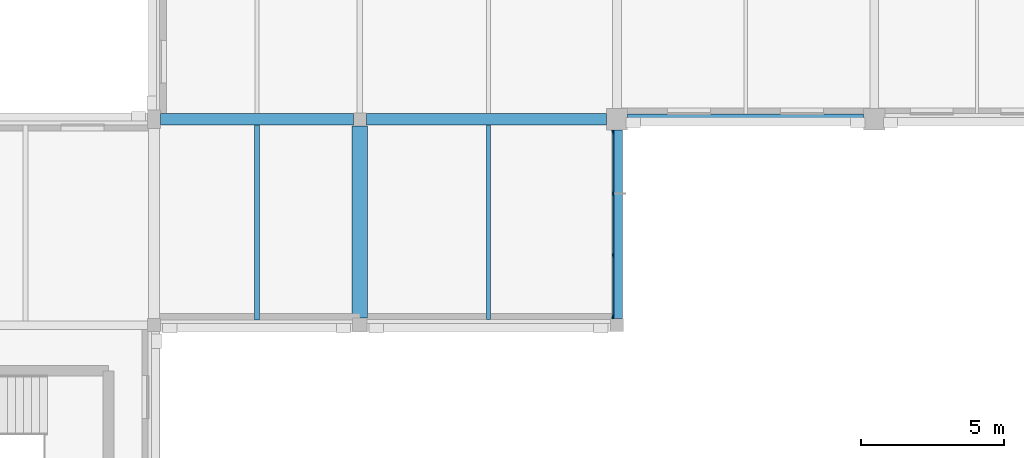
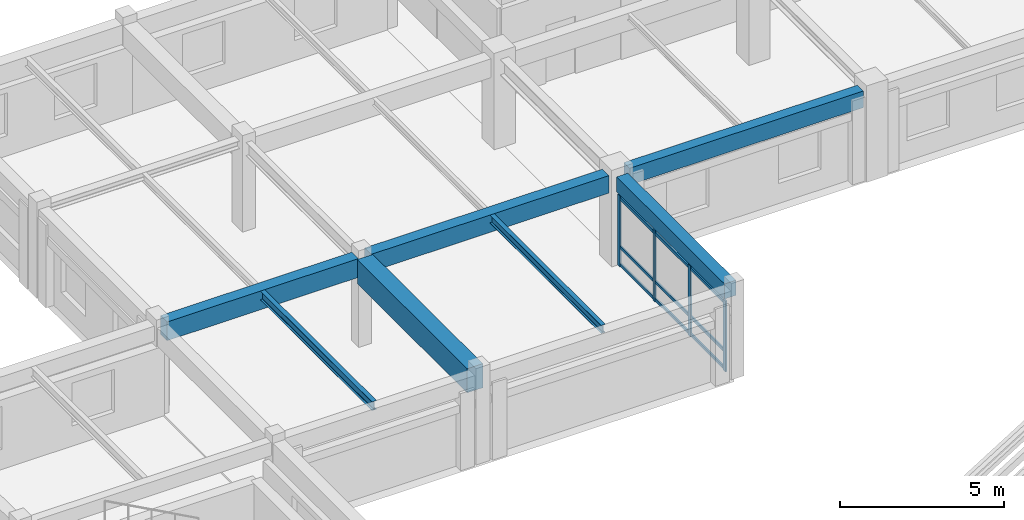
# One storey, part 30 of 74: 13 members, 7 beams, 1 element without a shape of its own.
"""IFC4 building model written with IfcOpenShell, lengths in metres."""

from ifc_helpers import new_model, si_unit, direction, frame, origin, origin_2d, place, context, subcontext, project, spatial, rectangle, i_section, extrude, material, material_profile, profile_set, type_object, element, aggregate, save


model = new_model("IFC4")

# Units and contexts
model_context = context("Model", 3, precision=1e-05, world=origin(), true_north=direction((0.0, 1.0)))
body_context = subcontext(model_context, "Body", "Model", "MODEL_VIEW")
ifc_project = project(units=[si_unit("LENGTHUNIT", "METRE"), si_unit("AREAUNIT", "SQUARE_METRE"), si_unit("VOLUMEUNIT", "CUBIC_METRE"), si_unit("PLANEANGLEUNIT", "RADIAN"), si_unit("MASSUNIT", "GRAM", prefix="KILO")], contexts=[model_context])

# Site, building, storey
site_placement = place(None, origin())
site = spatial("IfcSite", under=ifc_project, at=site_placement, CompositionType="ELEMENT")
building_placement = place(site_placement, origin())
building = spatial("IfcBuilding", under=site, at=building_placement, Name="Clarverna Civic Hall", CompositionType="ELEMENT")
storey_placement = place(building_placement, frame((0.0, 0.0, 13.199951171875)))
storey = spatial("IfcBuildingStorey", under=building, at=storey_placement, Name="L03", CompositionType="ELEMENT", Elevation=13.199951171875)

# Beams
ifc_material_1 = material(Name="Concrete C35/45", Category="concrete")
ifc_material_profile_1 = material_profile(ifc_material_1, rectangle(XDim=0.550048828125, YDim=0.89990234375, at=origin_2d()), Name="RC 550x900")
ifc_profile_set_1 = profile_set([ifc_material_profile_1], Name="Concrete C35/45")
beam_type_1 = type_object("IfcBeamType", Name="B-RC13", PredefinedType="BEAM", material=ifc_profile_set_1)
beam_1_placement = place(storey_placement, frame((104.39990234375, 88.050048828125, 2.85009765625), z_axis=(0.0, 1.0, 0.0), x_axis=(-1.0, 0.0, 0.0)))
element("IfcBeam", 1, at=beam_1_placement, inside=storey, type_object=beam_type_1, Name="B-RC13-031", PredefinedType="BEAM", context=body_context, shape_type="SweptSolid", body=[
    extrude(rectangle(XDim=0.550048828125, YDim=0.89990234375, at=origin_2d()), origin(), (0.0, 0.0, 1.0), 6.724853515625),
])
ifc_material_profile_2 = material_profile(ifc_material_1, rectangle(XDim=0.39990234375, YDim=0.699951171875, at=origin_2d()), Name="RC 400x700")
ifc_profile_set_2 = profile_set([ifc_material_profile_2], Name="Concrete C35/45")
beam_type_2 = type_object("IfcBeamType", Name="B-RC5", PredefinedType="BEAM", material=ifc_profile_set_2)
beam_2_placement = place(storey_placement, frame((97.425048828125, 95.0, 2.949951171875), z_axis=(1.0, 0.0, 0.0), x_axis=(0.0, 1.0, 0.0)))
element("IfcBeam", 2, at=beam_2_placement, inside=storey, type_object=beam_type_2, Name="B-RC5-033", PredefinedType="BEAM", context=body_context, shape_type="SweptSolid", body=[
    extrude(rectangle(XDim=0.39990234375, YDim=0.699951171875, at=origin_2d()), origin(), (0.0, 0.0, 1.0), 6.75),
])
ifc_material_profile_3 = material_profile(ifc_material_1, rectangle(XDim=0.39990234375, YDim=0.64990234375, at=origin_2d()), Name="RC 400x650")
ifc_profile_set_3 = profile_set([ifc_material_profile_3], Name="Concrete C35/45")
beam_type_3 = type_object("IfcBeamType", Name="B-RC6", PredefinedType="BEAM", material=ifc_profile_set_3)
beam_3_placement = place(storey_placement, frame((104.625, 95.0, 2.97509765625), z_axis=(1.0, 0.0, 0.0), x_axis=(0.0, 1.0, 0.0)))
element("IfcBeam", 3, at=beam_3_placement, inside=storey, type_object=beam_type_3, Name="B-RC6-045", PredefinedType="BEAM", context=body_context, shape_type="SweptSolid", body=[
    extrude(rectangle(XDim=0.39990234375, YDim=0.64990234375, at=origin_2d()), origin(), (0.0, 0.0, 1.0), 8.39990234375),
])
ifc_material_profile_4 = material_profile(ifc_material_1, rectangle(XDim=0.360107421875, YDim=0.6201171875, at=origin_2d()), Name="RC 360x620")
ifc_profile_set_4 = profile_set([ifc_material_profile_4], Name="Concrete C35/45")
beam_type_4 = type_object("IfcBeamType", Name="B-SP3", PredefinedType="SPANDREL", material=ifc_profile_set_4)
beam_4_placement = place(storey_placement, frame((113.77490234375, 95.0, 2.989990234375), z_axis=(1.0, 0.0, 0.0), x_axis=(0.0, 1.0, 0.0)))
element("IfcBeam", 4, at=beam_4_placement, inside=storey, type_object=beam_type_4, Name="B-SP3-114", PredefinedType="SPANDREL", context=body_context, shape_type="SweptSolid", body=[
    extrude(rectangle(XDim=0.360107421875, YDim=0.6201171875, at=origin_2d()), origin(), (0.0, 0.0, 1.0), 8.25),
])
ifc_material_profile_5 = material_profile(ifc_material_1, rectangle(XDim=0.39990234375, YDim=0.56005859375, at=origin_2d()), Name="RC 400x560")
ifc_profile_set_5 = profile_set([ifc_material_profile_5], Name="Concrete C35/45")
beam_type_5 = type_object("IfcBeamType", Name="B-SP4", PredefinedType="SPANDREL", material=ifc_profile_set_5)
beam_5_placement = place(storey_placement, frame((113.39990234375, 88.02490234375, 3.02001953125), z_axis=(0.0, 1.0, 0.0), x_axis=(-1.0, 0.0, 0.0)))
element("IfcBeam", 5, at=beam_5_placement, inside=storey, type_object=beam_type_5, Name="B-SP4-128", PredefinedType="SPANDREL", context=body_context, shape_type="SweptSolid", body=[
    extrude(rectangle(XDim=0.39990234375, YDim=0.56005859375, at=origin_2d()), origin(), (0.0, 0.0, 1.0), 6.60009765625),
])

# Curtain wall, members
ifc_material_2 = material(Name="Anodised Bronze Architectural Aluminium", Category="aluminium")
curtain_wall_type = type_object("IfcCurtainWallType", Name="CW-01", PredefinedType="USERDEFINED", material=ifc_material_2)
curtain_wall_placement = place(storey_placement, origin())
curtain_wall = element("IfcCurtainWall", 6, at=curtain_wall_placement, inside=storey, type_object=curtain_wall_type, Name="CW-01-076", ObjectType="UNITISED CURTAIN WALL", PredefinedType="USERDEFINED")
ifc_material_profile_6 = material_profile(ifc_material_2, rectangle(XDim=0.054931640625, YDim=0.139892578125, at=origin_2d()), Name="BRONZE 55x140")
ifc_profile_set_6 = profile_set([ifc_material_profile_6], Name="Anodised Bronze Architectural Aluminium")
member_type_1 = type_object("IfcMemberType", Name="CWM-04", PredefinedType="MULLION", material=ifc_profile_set_6)
member_1_placement = place(storey_placement, frame((113.260009765625, 94.552001953125, 0.0), z_axis=(0.0, 0.0, 1.0), x_axis=(1.0, 0.0, 0.0)))
member_1 = element("IfcMember", 7, at=member_1_placement, type_object=member_type_1, Name="CWM-04-168", PredefinedType="MULLION", context=body_context, shape_type="SweptSolid", body=[
    extrude(rectangle(XDim=0.054931640625, YDim=0.139892578125, at=origin_2d()), origin(), (0.0, 0.0, 1.0), 2.650146484375),
])
member_2_placement = place(storey_placement, frame((113.260009765625, 92.400634765625, 0.0), z_axis=(0.0, 0.0, 1.0), x_axis=(1.0, 0.0, 0.0)))
member_2 = element("IfcMember", 8, at=member_2_placement, type_object=member_type_1, Name="CWM-04-169", PredefinedType="MULLION", context=body_context, shape_type="SweptSolid", body=[
    extrude(rectangle(XDim=0.054931640625, YDim=0.139892578125, at=origin_2d()), origin(), (0.0, 0.0, 1.0), 2.650146484375),
])
member_3_placement = place(storey_placement, frame((113.260009765625, 90.249267578125, 0.0), z_axis=(0.0, 0.0, 1.0), x_axis=(1.0, 0.0, 0.0)))
member_3 = element("IfcMember", 9, at=member_3_placement, type_object=member_type_1, Name="CWM-04-170", PredefinedType="MULLION", context=body_context, shape_type="SweptSolid", body=[
    extrude(rectangle(XDim=0.054931640625, YDim=0.139892578125, at=origin_2d()), origin(), (0.0, 0.0, 1.0), 2.650146484375),
])
member_4_placement = place(storey_placement, frame((113.260009765625, 88.097900390625, 0.0), z_axis=(0.0, 0.0, 1.0), x_axis=(1.0, 0.0, 0.0)))
member_4 = element("IfcMember", 10, at=member_4_placement, type_object=member_type_1, Name="CWM-04-171", PredefinedType="MULLION", context=body_context, shape_type="SweptSolid", body=[
    extrude(rectangle(XDim=0.054931640625, YDim=0.139892578125, at=origin_2d()), origin(), (0.0, 0.0, 1.0), 2.650146484375),
])
ifc_material_profile_7 = material_profile(ifc_material_2, rectangle(XDim=0.054931640625, YDim=0.110107421875, at=origin_2d()), Name="BRONZE 55x110")
ifc_profile_set_7 = profile_set([ifc_material_profile_7], Name="Anodised Bronze Architectural Aluminium")
member_type_2 = type_object("IfcMemberType", Name="CWT-04", PredefinedType="USERDEFINED", material=ifc_profile_set_7)
member_5_placement = place(storey_placement, frame((113.260009765625, 94.537109375, 0.094970703125), z_axis=(0.0, -1.0, 0.0), x_axis=(1.0, 0.0, 0.0)))
member_5 = element("IfcMember", 11, at=member_5_placement, type_object=member_type_2, Name="CWT-04-352", ObjectType="TRANSOM", PredefinedType="USERDEFINED", context=body_context, shape_type="SweptSolid", body=[
    extrude(rectangle(XDim=0.054931640625, YDim=0.110107421875, at=origin_2d()), origin(), (0.0, 0.0, 1.0), 2.121337890625),
])
member_6_placement = place(storey_placement, frame((113.260009765625, 94.537109375, 0.75), z_axis=(0.0, -1.0, 0.0), x_axis=(1.0, 0.0, 0.0)))
member_6 = element("IfcMember", 12, at=member_6_placement, type_object=member_type_2, Name="CWT-04-353", ObjectType="TRANSOM", PredefinedType="USERDEFINED", context=body_context, shape_type="SweptSolid", body=[
    extrude(rectangle(XDim=0.054931640625, YDim=0.110107421875, at=origin_2d()), origin(), (0.0, 0.0, 1.0), 2.121337890625),
])
member_7_placement = place(storey_placement, frame((113.260009765625, 94.537109375, 2.554931640625), z_axis=(0.0, -1.0, 0.0), x_axis=(1.0, 0.0, 0.0)))
member_7 = element("IfcMember", 13, at=member_7_placement, type_object=member_type_2, Name="CWT-04-354", ObjectType="TRANSOM", PredefinedType="USERDEFINED", context=body_context, shape_type="SweptSolid", body=[
    extrude(rectangle(XDim=0.054931640625, YDim=0.110107421875, at=origin_2d()), origin(), (0.0, 0.0, 1.0), 2.121337890625),
])
member_8_placement = place(storey_placement, frame((113.260009765625, 92.3857421875, 0.094970703125), z_axis=(0.0, -1.0, 0.0), x_axis=(1.0, 0.0, 0.0)))
member_8 = element("IfcMember", 14, at=member_8_placement, type_object=member_type_2, Name="CWT-04-355", ObjectType="TRANSOM", PredefinedType="USERDEFINED", context=body_context, shape_type="SweptSolid", body=[
    extrude(rectangle(XDim=0.054931640625, YDim=0.110107421875, at=origin_2d()), origin(), (0.0, 0.0, 1.0), 2.121337890625),
])
member_9_placement = place(storey_placement, frame((113.260009765625, 92.3857421875, 0.75), z_axis=(0.0, -1.0, 0.0), x_axis=(1.0, 0.0, 0.0)))
member_9 = element("IfcMember", 15, at=member_9_placement, type_object=member_type_2, Name="CWT-04-356", ObjectType="TRANSOM", PredefinedType="USERDEFINED", context=body_context, shape_type="SweptSolid", body=[
    extrude(rectangle(XDim=0.054931640625, YDim=0.110107421875, at=origin_2d()), origin(), (0.0, 0.0, 1.0), 2.121337890625),
])
member_10_placement = place(storey_placement, frame((113.260009765625, 92.3857421875, 2.554931640625), z_axis=(0.0, -1.0, 0.0), x_axis=(1.0, 0.0, 0.0)))
member_10 = element("IfcMember", 16, at=member_10_placement, type_object=member_type_2, Name="CWT-04-357", ObjectType="TRANSOM", PredefinedType="USERDEFINED", context=body_context, shape_type="SweptSolid", body=[
    extrude(rectangle(XDim=0.054931640625, YDim=0.110107421875, at=origin_2d()), origin(), (0.0, 0.0, 1.0), 2.121337890625),
])
member_11_placement = place(storey_placement, frame((113.260009765625, 90.234375, 0.094970703125), z_axis=(0.0, -1.0, 0.0), x_axis=(1.0, 0.0, 0.0)))
member_11 = element("IfcMember", 17, at=member_11_placement, type_object=member_type_2, Name="CWT-04-358", ObjectType="TRANSOM", PredefinedType="USERDEFINED", context=body_context, shape_type="SweptSolid", body=[
    extrude(rectangle(XDim=0.054931640625, YDim=0.110107421875, at=origin_2d()), origin(), (0.0, 0.0, 1.0), 2.121337890625),
])
member_12_placement = place(storey_placement, frame((113.260009765625, 90.234375, 0.75), z_axis=(0.0, -1.0, 0.0), x_axis=(1.0, 0.0, 0.0)))
member_12 = element("IfcMember", 18, at=member_12_placement, type_object=member_type_2, Name="CWT-04-359", ObjectType="TRANSOM", PredefinedType="USERDEFINED", context=body_context, shape_type="SweptSolid", body=[
    extrude(rectangle(XDim=0.054931640625, YDim=0.110107421875, at=origin_2d()), origin(), (0.0, 0.0, 1.0), 2.121337890625),
])
member_13_placement = place(storey_placement, frame((113.260009765625, 90.234375, 2.554931640625), z_axis=(0.0, -1.0, 0.0), x_axis=(1.0, 0.0, 0.0)))
member_13 = element("IfcMember", 19, at=member_13_placement, type_object=member_type_2, Name="CWT-04-360", ObjectType="TRANSOM", PredefinedType="USERDEFINED", context=body_context, shape_type="SweptSolid", body=[
    extrude(rectangle(XDim=0.054931640625, YDim=0.110107421875, at=origin_2d()), origin(), (0.0, 0.0, 1.0), 2.121337890625),
])
aggregate(curtain_wall, [member_1, member_2, member_3, member_4, member_5, member_6, member_7, member_8, member_9, member_10, member_11, member_12, member_13])

# Beams
ifc_material_3 = material(Name="Steel S355", Category="steel")
ifc_material_profile_8 = material_profile(ifc_material_3, i_section(OverallWidth=0.159912109375, OverallDepth=0.330078125, WebThickness=0.007568359375, FlangeThickness=0.011474609375, FilletRadius=0.01806640625, at=origin_2d()), Name="IPE 330")
ifc_profile_set_8 = profile_set([ifc_material_profile_8], Name="Steel S355")
beam_type_6 = type_object("IfcBeamType", Name="J-ST2", PredefinedType="JOIST", material=ifc_profile_set_8)
beam_6_placement = place(storey_placement, frame((100.800048828125, 87.97998046875, 3.135009765625), z_axis=(0.0, 1.0, 0.0), x_axis=(-1.0, 0.0, 0.0)))
element("IfcBeam", 20, at=beam_6_placement, inside=storey, type_object=beam_type_6, Name="J-ST2-063", PredefinedType="JOIST", context=body_context, shape_type="SweptSolid", body=[
    extrude(i_section(OverallWidth=0.159912109375, OverallDepth=0.330078125, WebThickness=0.007568359375, FlangeThickness=0.011474609375, FilletRadius=0.01806640625, at=origin_2d()), origin(), (0.0, 0.0, 1.0), 6.820068359375),
])
ifc_material_profile_9 = material_profile(ifc_material_3, i_section(OverallWidth=0.14990234375, OverallDepth=0.300048828125, WebThickness=0.007080078125, FlangeThickness=0.0107421875, FilletRadius=0.014892578125, at=origin_2d()), Name="IPE 300")
ifc_profile_set_9 = profile_set([ifc_material_profile_9], Name="Steel S355")
beam_type_7 = type_object("IfcBeamType", Name="J-ST3", PredefinedType="JOIST", material=ifc_profile_set_9)
beam_7_placement = place(storey_placement, frame((108.89990234375, 88.0, 3.150146484375), z_axis=(0.0, 1.0, 0.0), x_axis=(-1.0, 0.0, 0.0)))
element("IfcBeam", 21, at=beam_7_placement, inside=storey, type_object=beam_type_7, Name="J-ST3-063", PredefinedType="JOIST", context=body_context, shape_type="SweptSolid", body=[
    extrude(i_section(OverallWidth=0.14990234375, OverallDepth=0.300048828125, WebThickness=0.007080078125, FlangeThickness=0.0107421875, FilletRadius=0.014892578125, at=origin_2d()), origin(), (0.0, 0.0, 1.0), 6.800048828125),
])

save(model, "model.ifc")
